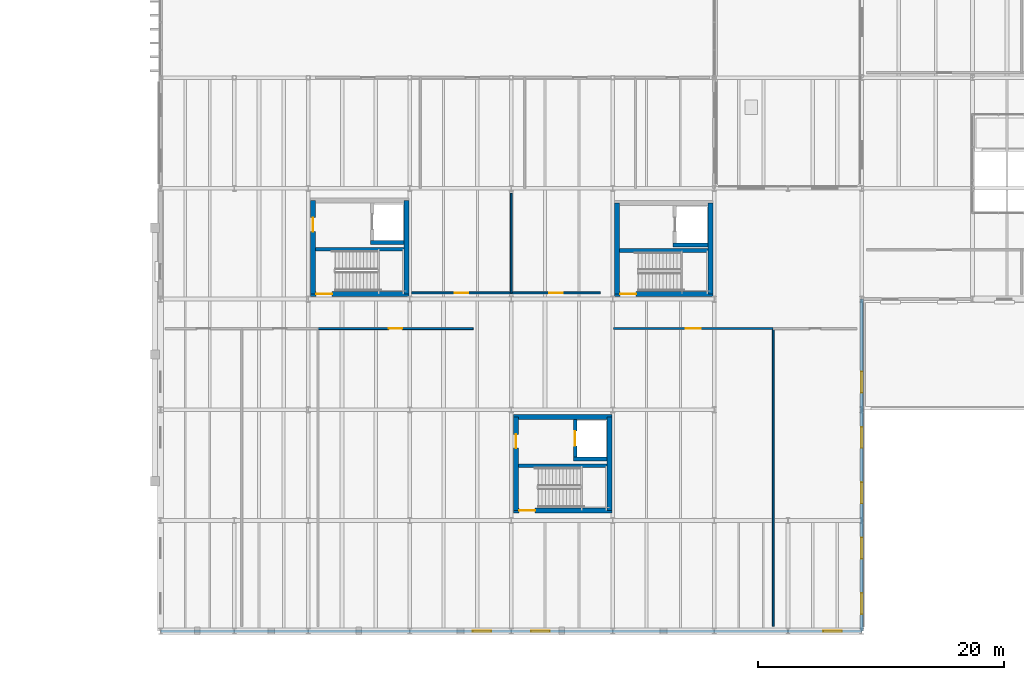
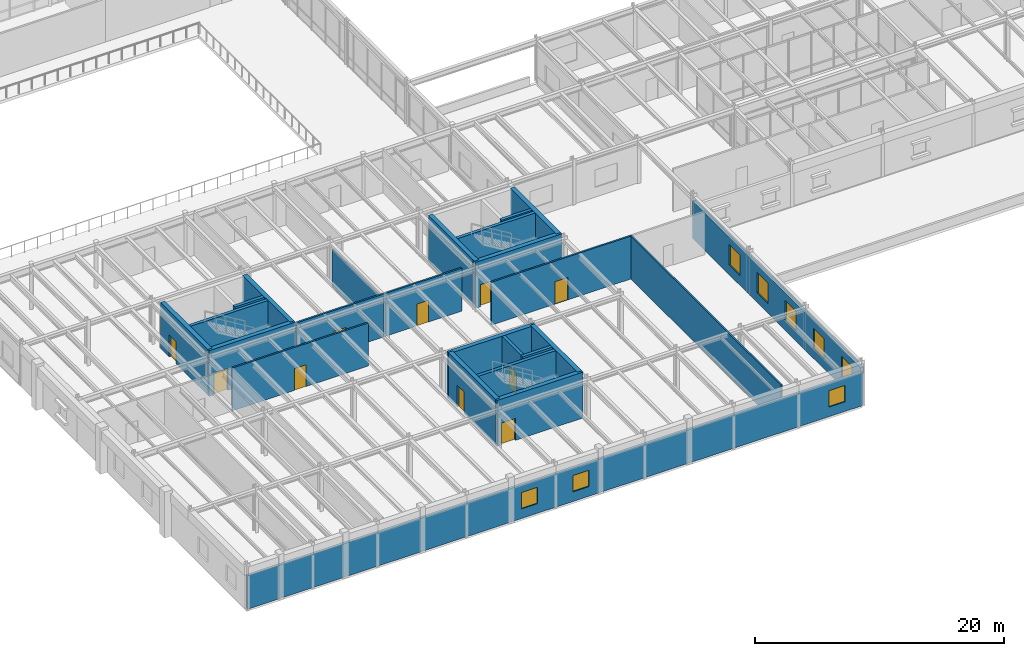
# One storey, part 44 of 64: 25 walls, 10 doors, 8 windows, 18 openings.
"""IFC4 building model written with IfcOpenShell, lengths in metres."""

from ifc_helpers import new_model, si_unit, direction, frame, frame_2d, origin, place, context, subcontext, project, spatial, rectangle, extrude, material, layer, layer_set, type_object, element, fill, save


model = new_model("IFC4")

# Units and contexts
model_context = context("Model", 3, precision=1e-05, world=origin(), true_north=direction((0.0, 1.0)))
body_context = subcontext(model_context, "Body", "Model", "MODEL_VIEW")
ifc_project = project(units=[si_unit("LENGTHUNIT", "METRE"), si_unit("AREAUNIT", "SQUARE_METRE"), si_unit("VOLUMEUNIT", "CUBIC_METRE"), si_unit("PLANEANGLEUNIT", "RADIAN"), si_unit("MASSUNIT", "GRAM", prefix="KILO")], contexts=[model_context])

# Site, building, storey
site_placement = place(None, origin())
site = spatial("IfcSite", under=ifc_project, at=site_placement, CompositionType="ELEMENT")
building_placement = place(site_placement, origin())
building = spatial("IfcBuilding", under=site, at=building_placement, Name="Montealbar Specialist Clinic", CompositionType="ELEMENT")
storey_placement = place(building_placement, frame((0.0, 0.0, 5.10009765625)))
storey = spatial("IfcBuildingStorey", under=building, at=storey_placement, Name="L01", CompositionType="ELEMENT", Elevation=5.10009765625)

# Walls
ifc_material_1 = material(Name="Concrete C35/45", Category="concrete")
ifc_layer_1 = layer(ifc_material_1, 0.300048828125, Name="Concrete C35/45", Category="concrete")
ifc_layer_set_1 = layer_set([ifc_layer_1], Name="Concrete C35/45")
wall_type_1 = type_object("IfcWallType", Name="WL-CORE-300", PredefinedType="SHEAR", material=ifc_layer_set_1)
wall_1_placement = place(storey_placement, frame((66.60009765625, 31.050048828125, 0.0), z_axis=(0.0, 0.0, 1.0), x_axis=(1.0, 0.0, 0.0)))
element("IfcWall", 1, at=wall_1_placement, inside=storey, type_object=wall_type_1, Name="Core C3 Stairwell Wall L01", PredefinedType="SHEAR", context=body_context, shape_type="SweptSolid", body=[
    extrude(rectangle(XDim=7.199951171875, YDim=0.300048828125, at=frame_2d((3.60009765625, 0.0))), origin(), (0.0, 0.0, 1.0), 4.5),
])
wall_2_placement = place(storey_placement, frame((71.050048828125, 31.60009765625, 0.0), z_axis=(0.0, 0.0, 1.0), x_axis=(1.0, 0.0, 0.0)))
element("IfcWall", 2, at=wall_2_placement, inside=storey, type_object=wall_type_1, Name="Lift FL-01 Shaft Wall L01 LS", PredefinedType="SHEAR", context=body_context, shape_type="SweptSolid", body=[
    extrude(rectangle(XDim=2.75, YDim=0.300048828125, at=frame_2d((1.375, 0.0))), origin(), (0.0, 0.0, 1.0), 4.5),
])
wall_3_placement = place(storey_placement, frame((83.10009765625, 13.449951171875, 0.0), z_axis=(0.0, 0.0, 1.0), x_axis=(1.0, 0.0, 0.0)))
element("IfcWall", 3, at=wall_3_placement, inside=storey, type_object=wall_type_1, Name="Core C4 Stairwell Wall L01", PredefinedType="SHEAR", context=body_context, shape_type="SweptSolid", body=[
    extrude(rectangle(XDim=7.199951171875, YDim=0.300048828125, at=frame_2d((3.60009765625, 0.0))), origin(), (0.0, 0.0, 1.0), 4.5),
])
wall_4_placement = place(storey_placement, frame((87.550048828125, 14.0, 0.0), z_axis=(0.0, 0.0, 1.0), x_axis=(1.0, 0.0, 0.0)))
element("IfcWall", 4, at=wall_4_placement, inside=storey, type_object=wall_type_1, Name="Lift FL-02 Shaft Wall L01 LS", PredefinedType="SHEAR", context=body_context, shape_type="SweptSolid", body=[
    extrude(rectangle(XDim=2.75, YDim=0.300048828125, at=frame_2d((1.375, 0.0))), origin(), (0.0, 0.0, 1.0), 4.5),
])

# Wall, opening, door
wall_5_placement = place(storey_placement, frame((87.699951171875, 14.14990234375, 0.0), z_axis=(0.0, 0.0, 1.0), x_axis=(0.0, 1.0, 0.0)))
wall_5 = element("IfcWall", 5, at=wall_5_placement, inside=storey, type_object=wall_type_1, Name="Lift FL-02 Shaft Wall L01 LW", PredefinedType="SHEAR", context=body_context, shape_type="SweptSolid", body=[
    extrude(rectangle(XDim=3.050048828125, YDim=0.300048828125, at=frame_2d((1.52490234375, 0.0))), origin(), (0.0, 0.0, 1.0), 4.5),
])
opening_1_placement = place(wall_5_placement, frame((0.925048828125, 0.0, 0.0)))
opening_1 = element("IfcOpeningElement", 6, at=opening_1_placement, cuts=wall_5, Name="Opening LD-12", PredefinedType="OPENING", context=body_context, shape_type="SweptSolid", body=[
    extrude(rectangle(XDim=1.199951171875, YDim=2.14990234375, at=frame_2d((0.60009765625, 1.074951171875))), frame((0.0, 0.159912109375, 0.0), z_axis=(0.0, -1.0, 0.0), x_axis=(1.0, 0.0, 0.0)), (0.0, 0.0, 1.0), 0.320068359375),
])
ifc_material_2 = material(Name="Steel S355", Category="steel")
door_type_1 = type_object("IfcDoorType", Name="DR-LIFT-LD1200", OperationType="DOUBLE_DOOR_SLIDING", PredefinedType="DOOR", material=ifc_material_2)
door_1_placement = place(opening_1_placement, origin())
door_1 = element("IfcDoor", 7, at=door_1_placement, inside=storey, type_object=door_type_1, Name="Lift FL-02 Sliding Landing Door L01", OperationType="DOUBLE_DOOR_SLIDING", OverallHeight=2.14990234375, OverallWidth=1.199951171875, PredefinedType="DOOR", context=body_context, shape_type="SweptSolid", body=[
    extrude(rectangle(XDim=1.199951171875, YDim=2.14990234375, at=frame_2d((0.60009765625, 1.074951171875))), frame((0.0, 0.02490234375, 0.0), z_axis=(0.0, -1.0, 0.0), x_axis=(1.0, 0.0, 0.0)), (0.0, 0.0, 1.0), 0.050048828125),
])
fill(opening_1, door_1)

# Walls
wall_6_placement = place(storey_placement, frame((91.300048828125, 30.949951171875, 0.0), z_axis=(0.0, 0.0, 1.0), x_axis=(1.0, 0.0, 0.0)))
element("IfcWall", 8, at=wall_6_placement, inside=storey, type_object=wall_type_1, Name="Core C5 Stairwell Wall L01", PredefinedType="SHEAR", context=body_context, shape_type="SweptSolid", body=[
    extrude(rectangle(XDim=7.199951171875, YDim=0.300048828125, at=frame_2d((3.60009765625, 0.0))), origin(), (0.0, 0.0, 1.0), 4.5),
])
wall_7_placement = place(storey_placement, frame((95.64990234375, 31.39990234375, 0.0), z_axis=(0.0, 0.0, 1.0), x_axis=(1.0, 0.0, 0.0)))
element("IfcWall", 9, at=wall_7_placement, inside=storey, type_object=wall_type_1, Name="Lift LF-03 Shaft Wall L01 LS", PredefinedType="SHEAR", context=body_context, shape_type="SweptSolid", body=[
    extrude(rectangle(XDim=2.85009765625, YDim=0.300048828125, at=frame_2d((1.425048828125, 0.0))), origin(), (0.0, 0.0, 1.0), 4.5),
])

# Wall, opening, door
ifc_layer_2 = layer(ifc_material_1, 0.39990234375, Name="Concrete C35/45", Category="concrete")
ifc_layer_set_2 = layer_set([ifc_layer_2], Name="Concrete C35/45")
wall_type_2 = type_object("IfcWallType", Name="WL-CORE-400", PredefinedType="SHEAR", material=ifc_layer_set_2)
wall_8_placement = place(storey_placement, frame((66.199951171875, 27.39990234375, 0.0), z_axis=(0.0, 0.0, 1.0), x_axis=(1.0, 0.0, 0.0)))
wall_8 = element("IfcWall", 10, at=wall_8_placement, inside=storey, type_object=wall_type_2, Name="Core C3 Shear Wall L01 S", PredefinedType="SHEAR", context=body_context, shape_type="SweptSolid", body=[
    extrude(rectangle(XDim=8.0, YDim=0.39990234375, at=frame_2d((4.0, 0.0))), origin(), (0.0, 0.0, 1.0), 4.5),
])
opening_2_placement = place(wall_8_placement, frame((0.449951171875, 0.0, 0.0)))
opening_2 = element("IfcOpeningElement", 11, at=opening_2_placement, cuts=wall_8, Name="Opening SD-13", PredefinedType="OPENING", context=body_context, shape_type="SweptSolid", body=[
    extrude(rectangle(XDim=1.300048828125, YDim=2.14990234375, at=frame_2d((0.64990234375, 1.074951171875))), frame((0.0, 0.2099609375, 0.0), z_axis=(0.0, -1.0, 0.0), x_axis=(1.0, 0.0, 0.0)), (0.0, 0.0, 1.0), 0.419921875),
])
door_type_2 = type_object("IfcDoorType", Name="DR-STAIR-W1300", OperationType="NOTDEFINED", PredefinedType="DOOR", material=ifc_material_2)
door_2_placement = place(opening_2_placement, frame((1.300048828125, 0.0, 0.0), z_axis=(0.0, 0.0, 1.0), x_axis=(-1.0, 0.0, 0.0)))
door_2 = element("IfcDoor", 12, at=door_2_placement, inside=storey, type_object=door_type_2, Name="Protected Core C3 Stair Fire Door L01", OperationType="SINGLE_SWING_RIGHT", OverallHeight=2.14990234375, OverallWidth=1.300048828125, PredefinedType="DOOR", context=body_context, shape_type="SweptSolid", body=[
    extrude(rectangle(XDim=1.300048828125, YDim=2.14990234375, at=frame_2d((0.64990234375, 1.074951171875))), frame((0.0, 0.02490234375, 0.0), z_axis=(0.0, -1.0, 0.0), x_axis=(1.0, 0.0, 0.0)), (0.0, 0.0, 1.0), 0.050048828125),
])
fill(opening_2, door_2)

wall_9_placement = place(storey_placement, frame((66.39990234375, 27.39990234375, 0.0), z_axis=(0.0, 0.0, 1.0), x_axis=(0.0, 1.0, 0.0)))
wall_9 = element("IfcWall", 13, at=wall_9_placement, inside=storey, type_object=wall_type_2, Name="Core C3 Shear Wall L01 W", PredefinedType="SHEAR", context=body_context, shape_type="SweptSolid", body=[
    extrude(rectangle(XDim=7.60009765625, YDim=0.39990234375, at=frame_2d((3.800048828125, 0.0))), origin(), (0.0, 0.0, 1.0), 4.5),
])
opening_3_placement = place(wall_9_placement, frame((5.090087890625, 0.0, 0.0)))
opening_3 = element("IfcOpeningElement", 14, at=opening_3_placement, cuts=wall_9, Name="Opening FD-110", PredefinedType="OPENING", context=body_context, shape_type="SweptSolid", body=[
    extrude(rectangle(XDim=1.1201171875, YDim=2.14990234375, at=frame_2d((0.56005859375, 1.074951171875))), frame((0.0, 0.2099609375, 0.0), z_axis=(0.0, -1.0, 0.0), x_axis=(1.0, 0.0, 0.0)), (0.0, 0.0, 1.0), 0.419921875),
])
door_type_3 = type_object("IfcDoorType", Name="DR-FIRE-W1100", OperationType="NOTDEFINED", PredefinedType="DOOR", material=ifc_material_2)
door_3_placement = place(opening_3_placement, origin())
door_3 = element("IfcDoor", 15, at=door_3_placement, inside=storey, type_object=door_type_3, Name="Firefighting Lobby C3 Entrance Door L01", OperationType="SINGLE_SWING_RIGHT", OverallHeight=2.14990234375, OverallWidth=1.1201171875, PredefinedType="DOOR", context=body_context, shape_type="SweptSolid", body=[
    extrude(rectangle(XDim=1.1201171875, YDim=2.14990234375, at=frame_2d((0.56005859375, 1.074951171875))), frame((0.0, 0.02490234375, 0.0), z_axis=(0.0, -1.0, 0.0), x_axis=(1.0, 0.0, 0.0)), (0.0, 0.0, 1.0), 0.050048828125),
])
fill(opening_3, door_3)

# Wall
wall_10_placement = place(storey_placement, frame((74.0, 27.39990234375, 0.0), z_axis=(0.0, 0.0, 1.0), x_axis=(0.0, 1.0, 0.0)))
element("IfcWall", 16, at=wall_10_placement, inside=storey, type_object=wall_type_2, Name="Core C3 Shear Wall L01 E", PredefinedType="SHEAR", context=body_context, shape_type="SweptSolid", body=[
    extrude(rectangle(XDim=7.60009765625, YDim=0.39990234375, at=frame_2d((3.800048828125, 0.0))), origin(), (0.0, 0.0, 1.0), 4.5),
])

# Wall, opening, door
wall_11_placement = place(storey_placement, frame((82.699951171875, 9.800048828125, 0.0), z_axis=(0.0, 0.0, 1.0), x_axis=(1.0, 0.0, 0.0)))
wall_11 = element("IfcWall", 17, at=wall_11_placement, inside=storey, type_object=wall_type_2, Name="Core C4 Shear Wall L01 S", PredefinedType="SHEAR", context=body_context, shape_type="SweptSolid", body=[
    extrude(rectangle(XDim=8.0, YDim=0.39990234375, at=frame_2d((4.0, 0.0))), origin(), (0.0, 0.0, 1.0), 4.5),
])
opening_4_placement = place(wall_11_placement, frame((0.449951171875, 0.0, 0.0)))
opening_4 = element("IfcOpeningElement", 18, at=opening_4_placement, cuts=wall_11, Name="Opening SD-13", PredefinedType="OPENING", context=body_context, shape_type="SweptSolid", body=[
    extrude(rectangle(XDim=1.300048828125, YDim=2.14990234375, at=frame_2d((0.64990234375, 1.074951171875))), frame((0.0, 0.2099609375, 0.0), z_axis=(0.0, -1.0, 0.0), x_axis=(1.0, 0.0, 0.0)), (0.0, 0.0, 1.0), 0.419921875),
])
door_4_placement = place(opening_4_placement, frame((1.300048828125, 0.0, 0.0), z_axis=(0.0, 0.0, 1.0), x_axis=(-1.0, 0.0, 0.0)))
door_4 = element("IfcDoor", 19, at=door_4_placement, inside=storey, type_object=door_type_2, Name="Protected Core C4 Stair Fire Door L01", OperationType="SINGLE_SWING_RIGHT", OverallHeight=2.14990234375, OverallWidth=1.300048828125, PredefinedType="DOOR", context=body_context, shape_type="SweptSolid", body=[
    extrude(rectangle(XDim=1.300048828125, YDim=2.14990234375, at=frame_2d((0.64990234375, 1.074951171875))), frame((0.0, 0.02490234375, 0.0), z_axis=(0.0, -1.0, 0.0), x_axis=(1.0, 0.0, 0.0)), (0.0, 0.0, 1.0), 0.050048828125),
])
fill(opening_4, door_4)

# Wall
wall_12_placement = place(storey_placement, frame((82.699951171875, 17.39990234375, 0.0), z_axis=(0.0, 0.0, 1.0), x_axis=(1.0, 0.0, 0.0)))
element("IfcWall", 20, at=wall_12_placement, inside=storey, type_object=wall_type_2, Name="Core C4 Shear Wall L01 N", PredefinedType="SHEAR", context=body_context, shape_type="SweptSolid", body=[
    extrude(rectangle(XDim=8.0, YDim=0.39990234375, at=frame_2d((4.0, 0.0))), origin(), (0.0, 0.0, 1.0), 4.5),
])

# Wall, opening, door
wall_13_placement = place(storey_placement, frame((82.89990234375, 9.800048828125, 0.0), z_axis=(0.0, 0.0, 1.0), x_axis=(0.0, 1.0, 0.0)))
wall_13 = element("IfcWall", 21, at=wall_13_placement, inside=storey, type_object=wall_type_2, Name="Core C4 Shear Wall L01 W", PredefinedType="SHEAR", context=body_context, shape_type="SweptSolid", body=[
    extrude(rectangle(XDim=7.599853515625, YDim=0.39990234375, at=frame_2d((3.7998046875, 0.0))), origin(), (0.0, 0.0, 1.0), 4.5),
])
opening_5_placement = place(wall_13_placement, frame((5.090087890625, 0.0, 0.0)))
opening_5 = element("IfcOpeningElement", 22, at=opening_5_placement, cuts=wall_13, Name="Opening FD-110", PredefinedType="OPENING", context=body_context, shape_type="SweptSolid", body=[
    extrude(rectangle(XDim=1.1201171875, YDim=2.14990234375, at=frame_2d((0.56005859375, 1.074951171875))), frame((0.0, 0.2099609375, 0.0), z_axis=(0.0, -1.0, 0.0), x_axis=(1.0, 0.0, 0.0)), (0.0, 0.0, 1.0), 0.419921875),
])
door_5_placement = place(opening_5_placement, origin())
door_5 = element("IfcDoor", 23, at=door_5_placement, inside=storey, type_object=door_type_3, Name="Firefighting Lobby C4 Entrance Door L01", OperationType="SINGLE_SWING_RIGHT", OverallHeight=2.14990234375, OverallWidth=1.1201171875, PredefinedType="DOOR", context=body_context, shape_type="SweptSolid", body=[
    extrude(rectangle(XDim=1.1201171875, YDim=2.14990234375, at=frame_2d((0.56005859375, 1.074951171875))), frame((0.0, 0.02490234375, 0.0), z_axis=(0.0, -1.0, 0.0), x_axis=(1.0, 0.0, 0.0)), (0.0, 0.0, 1.0), 0.050048828125),
])
fill(opening_5, door_5)

# Wall
wall_14_placement = place(storey_placement, frame((90.5, 9.800048828125, 0.0), z_axis=(0.0, 0.0, 1.0), x_axis=(0.0, 1.0, 0.0)))
element("IfcWall", 24, at=wall_14_placement, inside=storey, type_object=wall_type_2, Name="Core C4 Shear Wall L01 E", PredefinedType="SHEAR", context=body_context, shape_type="SweptSolid", body=[
    extrude(rectangle(XDim=7.599853515625, YDim=0.39990234375, at=frame_2d((3.7998046875, 0.0))), origin(), (0.0, 0.0, 1.0), 4.5),
])

# Wall, opening, door
wall_15_placement = place(storey_placement, frame((90.89990234375, 27.39990234375, 0.0), z_axis=(0.0, 0.0, 1.0), x_axis=(1.0, 0.0, 0.0)))
wall_15 = element("IfcWall", 25, at=wall_15_placement, inside=storey, type_object=wall_type_2, Name="Core C5 Shear Wall L01 S", PredefinedType="SHEAR", context=body_context, shape_type="SweptSolid", body=[
    extrude(rectangle(XDim=8.0, YDim=0.39990234375, at=frame_2d((4.0, 0.0))), origin(), (0.0, 0.0, 1.0), 4.5),
])
opening_6_placement = place(wall_15_placement, frame((0.449951171875, 0.0, 0.0)))
opening_6 = element("IfcOpeningElement", 26, at=opening_6_placement, cuts=wall_15, Name="Opening SD-13", PredefinedType="OPENING", context=body_context, shape_type="SweptSolid", body=[
    extrude(rectangle(XDim=1.300048828125, YDim=2.14990234375, at=frame_2d((0.64990234375, 1.074951171875))), frame((0.0, 0.2099609375, 0.0), z_axis=(0.0, -1.0, 0.0), x_axis=(1.0, 0.0, 0.0)), (0.0, 0.0, 1.0), 0.419921875),
])
door_6_placement = place(opening_6_placement, frame((1.300048828125, 0.0, 0.0), z_axis=(0.0, 0.0, 1.0), x_axis=(-1.0, 0.0, 0.0)))
door_6 = element("IfcDoor", 27, at=door_6_placement, inside=storey, type_object=door_type_2, Name="Protected Core C5 Stair Fire Door L01", OperationType="SINGLE_SWING_RIGHT", OverallHeight=2.14990234375, OverallWidth=1.300048828125, PredefinedType="DOOR", context=body_context, shape_type="SweptSolid", body=[
    extrude(rectangle(XDim=1.300048828125, YDim=2.14990234375, at=frame_2d((0.64990234375, 1.074951171875))), frame((0.0, 0.02490234375, 0.0), z_axis=(0.0, -1.0, 0.0), x_axis=(1.0, 0.0, 0.0)), (0.0, 0.0, 1.0), 0.050048828125),
])
fill(opening_6, door_6)

# Walls
for number, where, z_axis, x_axis, name in (
    (28, (91.10009765625, 27.39990234375, 0.0), (0.0, 0.0, 1.0), (0.0, 1.0, 0.0), "Core C5 Shear Wall L01 W"),
    (29, (98.699951171875, 27.39990234375, 0.0), (0.0, 0.0, 1.0), (0.0, 1.0, 0.0), "Core C5 Shear Wall L01 E"),
):
    element("IfcWall", number, at=place(storey_placement, frame(where, z_axis=z_axis, x_axis=x_axis)), inside=storey, type_object=wall_type_2, Name=name, PredefinedType="SHEAR", context=body_context, shape_type="SweptSolid", body=[
        extrude(rectangle(XDim=7.400146484375, YDim=0.39990234375, at=frame_2d((3.7001953125, 0.0))), origin(), (0.0, 0.0, 1.0), 4.5),
    ])

# Wall, openings, windows
ifc_material_3 = material(Name="Precast concrete C40/50", Category="concrete")
ifc_layer_3 = layer(ifc_material_3, 0.239990234375, Name="Precast concrete C40/50", Category="concrete")
ifc_layer_set_3 = layer_set([ifc_layer_3], Name="Precast concrete C40/50")
wall_type_3 = type_object("IfcWallType", Name="WL-EXT-CLINIC-240", PredefinedType="SOLIDWALL", material=ifc_layer_set_3)
wall_16_placement = place(storey_placement, frame((111.0, 0.0, 0.0), z_axis=(0.0, 0.0, 1.0), x_axis=(-1.0, 0.0, 0.0)))
wall_16 = element("IfcWall", 30, at=wall_16_placement, inside=storey, type_object=wall_type_3, Name="Exterior Facade Wall EW-L01-047", PredefinedType="SOLIDWALL", context=body_context, shape_type="SweptSolid", body=[
    extrude(rectangle(XDim=57.0, YDim=0.239990234375, at=frame_2d((28.5, 0.0))), origin(), (0.0, 0.0, 1.0), 3.27978515625),
])
opening_7_placement = place(wall_16_placement, frame((1.625, 0.0, 0.949951171875)))
opening_7 = element("IfcOpeningElement", 31, at=opening_7_placement, cuts=wall_16, Name="Opening WN-03", PredefinedType="OPENING", context=body_context, shape_type="SweptSolid", body=[
    extrude(rectangle(XDim=1.5, YDim=1.60009765625, at=frame_2d((0.75, 0.800048828125))), frame((0.0, 0.1298828125, 0.0), z_axis=(0.0, -1.0, 0.0), x_axis=(1.0, 0.0, 0.0)), (0.0, 0.0, 1.0), 0.260009765625),
])
opening_8_placement = place(wall_16_placement, frame((25.375, 0.0, 0.949951171875)))
opening_8 = element("IfcOpeningElement", 32, at=opening_8_placement, cuts=wall_16, Name="Opening WN-03", PredefinedType="OPENING", context=body_context, shape_type="SweptSolid", body=[
    extrude(rectangle(XDim=1.5, YDim=1.60009765625, at=frame_2d((0.75, 0.800048828125))), frame((0.0, 0.1298828125, 0.0), z_axis=(0.0, -1.0, 0.0), x_axis=(1.0, 0.0, 0.0)), (0.0, 0.0, 1.0), 0.260009765625),
])
opening_9_placement = place(wall_16_placement, frame((30.125, 0.0, 0.949951171875)))
opening_9 = element("IfcOpeningElement", 33, at=opening_9_placement, cuts=wall_16, Name="Opening WN-03", PredefinedType="OPENING", context=body_context, shape_type="SweptSolid", body=[
    extrude(rectangle(XDim=1.5, YDim=1.60009765625, at=frame_2d((0.75, 0.800048828125))), frame((0.0, 0.1298828125, 0.0), z_axis=(0.0, -1.0, 0.0), x_axis=(1.0, 0.0, 0.0)), (0.0, 0.0, 1.0), 0.260009765625),
])
ifc_material_4 = material(Name="Low-E double glazing", Category="glass")
window_type_1 = type_object("IfcWindowType", Name="WIN-WN-03", PartitioningType="SINGLE_PANEL", PredefinedType="WINDOW", material=ifc_material_4)
window_1_placement = place(opening_7_placement, origin())
window_1 = element("IfcWindow", 34, at=window_1_placement, inside=storey, type_object=window_type_1, Name="Clinical Facade Window WN-03 L01-0169", OverallHeight=1.60009765625, OverallWidth=1.5, PartitioningType="SINGLE_PANEL", PredefinedType="WINDOW", context=body_context, shape_type="SweptSolid", body=[
    extrude(rectangle(XDim=1.5, YDim=1.60009765625, at=frame_2d((0.75, 0.800048828125))), frame((0.0, 0.030029296875, 0.0), z_axis=(0.0, -1.0, 0.0), x_axis=(1.0, 0.0, 0.0)), (0.0, 0.0, 1.0), 0.06005859375),
])
fill(opening_7, window_1)
window_2_placement = place(opening_8_placement, origin())
window_2 = element("IfcWindow", 35, at=window_2_placement, inside=storey, type_object=window_type_1, Name="Clinical Facade Window WN-03 L01-0170", OverallHeight=1.60009765625, OverallWidth=1.5, PartitioningType="SINGLE_PANEL", PredefinedType="WINDOW", context=body_context, shape_type="SweptSolid", body=[
    extrude(rectangle(XDim=1.5, YDim=1.60009765625, at=frame_2d((0.75, 0.800048828125))), frame((0.0, 0.030029296875, 0.0), z_axis=(0.0, -1.0, 0.0), x_axis=(1.0, 0.0, 0.0)), (0.0, 0.0, 1.0), 0.06005859375),
])
fill(opening_8, window_2)
window_3_placement = place(opening_9_placement, origin())
window_3 = element("IfcWindow", 36, at=window_3_placement, inside=storey, type_object=window_type_1, Name="Clinical Facade Window WN-03 L01-0171", OverallHeight=1.60009765625, OverallWidth=1.5, PartitioningType="SINGLE_PANEL", PredefinedType="WINDOW", context=body_context, shape_type="SweptSolid", body=[
    extrude(rectangle(XDim=1.5, YDim=1.60009765625, at=frame_2d((0.75, 0.800048828125))), frame((0.0, 0.030029296875, 0.0), z_axis=(0.0, -1.0, 0.0), x_axis=(1.0, 0.0, 0.0)), (0.0, 0.0, 1.0), 0.06005859375),
])
fill(opening_9, window_3)

ifc_material_5 = material(Name="Terracotta architectural cladding", Category="masonry")
ifc_layer_4 = layer(ifc_material_5, 0.260009765625, Name="Terracotta architectural cladding", Category="masonry")
ifc_layer_set_4 = layer_set([ifc_layer_4], Name="Terracotta architectural cladding")
wall_type_4 = type_object("IfcWallType", Name="WL-EXT-TERRA-260", PredefinedType="SOLIDWALL", material=ifc_layer_set_4)
wall_17_placement = place(storey_placement, frame((111.0, 27.0, 0.0), z_axis=(0.0, 0.0, 1.0), x_axis=(0.0, -1.0, 0.0)))
wall_17 = element("IfcWall", 37, at=wall_17_placement, inside=storey, type_object=wall_type_4, Name="Exterior Facade Wall EW-L01-046", PredefinedType="SOLIDWALL", context=body_context, shape_type="SweptSolid", body=[
    extrude(rectangle(XDim=27.0, YDim=0.260009765625, at=frame_2d((13.5, 0.0))), origin(), (0.0, 0.0, 1.0), 3.679931640625),
])
opening_10_placement = place(wall_17_placement, frame((5.89990234375, 0.0, 0.949951171875)))
opening_10 = element("IfcOpeningElement", 38, at=opening_10_placement, cuts=wall_17, Name="Opening WN-15", PredefinedType="OPENING", context=body_context, shape_type="SweptSolid", body=[
    extrude(rectangle(XDim=1.699951171875, YDim=2.0, at=frame_2d((0.85009765625, 1.0))), frame((0.0, 0.139892578125, 0.0), z_axis=(0.0, -1.0, 0.0), x_axis=(1.0, 0.0, 0.0)), (0.0, 0.0, 1.0), 0.280029296875),
])
opening_11_placement = place(wall_17_placement, frame((10.39990234375, 0.0, 0.949951171875)))
opening_11 = element("IfcOpeningElement", 39, at=opening_11_placement, cuts=wall_17, Name="Opening WN-15", PredefinedType="OPENING", context=body_context, shape_type="SweptSolid", body=[
    extrude(rectangle(XDim=1.699951171875, YDim=2.0, at=frame_2d((0.85009765625, 1.0))), frame((0.0, 0.139892578125, 0.0), z_axis=(0.0, -1.0, 0.0), x_axis=(1.0, 0.0, 0.0)), (0.0, 0.0, 1.0), 0.280029296875),
])
opening_12_placement = place(wall_17_placement, frame((14.89990234375, 0.0, 0.949951171875)))
opening_12 = element("IfcOpeningElement", 40, at=opening_12_placement, cuts=wall_17, Name="Opening WN-15", PredefinedType="OPENING", context=body_context, shape_type="SweptSolid", body=[
    extrude(rectangle(XDim=1.699951171875, YDim=2.0, at=frame_2d((0.85009765625, 1.0))), frame((0.0, 0.139892578125, 0.0), z_axis=(0.0, -1.0, 0.0), x_axis=(1.0, 0.0, 0.0)), (0.0, 0.0, 1.0), 0.280029296875),
])
opening_13_placement = place(wall_17_placement, frame((19.39990234375, 0.0, 0.949951171875)))
opening_13 = element("IfcOpeningElement", 41, at=opening_13_placement, cuts=wall_17, Name="Opening WN-15", PredefinedType="OPENING", context=body_context, shape_type="SweptSolid", body=[
    extrude(rectangle(XDim=1.699951171875, YDim=2.0, at=frame_2d((0.85009765625, 1.0))), frame((0.0, 0.139892578125, 0.0), z_axis=(0.0, -1.0, 0.0), x_axis=(1.0, 0.0, 0.0)), (0.0, 0.0, 1.0), 0.280029296875),
])
opening_14_placement = place(wall_17_placement, frame((23.89990234375, 0.0, 0.949951171875)))
opening_14 = element("IfcOpeningElement", 42, at=opening_14_placement, cuts=wall_17, Name="Opening WN-15", PredefinedType="OPENING", context=body_context, shape_type="SweptSolid", body=[
    extrude(rectangle(XDim=1.699951171875, YDim=2.0, at=frame_2d((0.85009765625, 1.0))), frame((0.0, 0.139892578125, 0.0), z_axis=(0.0, -1.0, 0.0), x_axis=(1.0, 0.0, 0.0)), (0.0, 0.0, 1.0), 0.280029296875),
])
window_type_2 = type_object("IfcWindowType", Name="WIN-WN-15", PartitioningType="SINGLE_PANEL", PredefinedType="WINDOW", material=ifc_material_4)
window_4_placement = place(opening_10_placement, origin())
window_4 = element("IfcWindow", 43, at=window_4_placement, inside=storey, type_object=window_type_2, Name="Clinical Facade Window WN-15 L01-0164", OverallHeight=2.0, OverallWidth=1.699951171875, PartitioningType="SINGLE_PANEL", PredefinedType="WINDOW", context=body_context, shape_type="SweptSolid", body=[
    extrude(rectangle(XDim=1.699951171875, YDim=2.0, at=frame_2d((0.85009765625, 1.0))), frame((0.0, 0.030029296875, 0.0), z_axis=(0.0, -1.0, 0.0), x_axis=(1.0, 0.0, 0.0)), (0.0, 0.0, 1.0), 0.06005859375),
])
fill(opening_10, window_4)
window_5_placement = place(opening_11_placement, origin())
window_5 = element("IfcWindow", 44, at=window_5_placement, inside=storey, type_object=window_type_2, Name="Clinical Facade Window WN-15 L01-0165", OverallHeight=2.0, OverallWidth=1.699951171875, PartitioningType="SINGLE_PANEL", PredefinedType="WINDOW", context=body_context, shape_type="SweptSolid", body=[
    extrude(rectangle(XDim=1.699951171875, YDim=2.0, at=frame_2d((0.85009765625, 1.0))), frame((0.0, 0.030029296875, 0.0), z_axis=(0.0, -1.0, 0.0), x_axis=(1.0, 0.0, 0.0)), (0.0, 0.0, 1.0), 0.06005859375),
])
fill(opening_11, window_5)
window_6_placement = place(opening_12_placement, origin())
window_6 = element("IfcWindow", 45, at=window_6_placement, inside=storey, type_object=window_type_2, Name="Clinical Facade Window WN-15 L01-0166", OverallHeight=2.0, OverallWidth=1.699951171875, PartitioningType="SINGLE_PANEL", PredefinedType="WINDOW", context=body_context, shape_type="SweptSolid", body=[
    extrude(rectangle(XDim=1.699951171875, YDim=2.0, at=frame_2d((0.85009765625, 1.0))), frame((0.0, 0.030029296875, 0.0), z_axis=(0.0, -1.0, 0.0), x_axis=(1.0, 0.0, 0.0)), (0.0, 0.0, 1.0), 0.06005859375),
])
fill(opening_12, window_6)
window_7_placement = place(opening_13_placement, origin())
window_7 = element("IfcWindow", 46, at=window_7_placement, inside=storey, type_object=window_type_2, Name="Clinical Facade Window WN-15 L01-0167", OverallHeight=2.0, OverallWidth=1.699951171875, PartitioningType="SINGLE_PANEL", PredefinedType="WINDOW", context=body_context, shape_type="SweptSolid", body=[
    extrude(rectangle(XDim=1.699951171875, YDim=2.0, at=frame_2d((0.85009765625, 1.0))), frame((0.0, 0.030029296875, 0.0), z_axis=(0.0, -1.0, 0.0), x_axis=(1.0, 0.0, 0.0)), (0.0, 0.0, 1.0), 0.06005859375),
])
fill(opening_13, window_7)
window_8_placement = place(opening_14_placement, origin())
window_8 = element("IfcWindow", 47, at=window_8_placement, inside=storey, type_object=window_type_2, Name="Clinical Facade Window WN-15 L01-0168", OverallHeight=2.0, OverallWidth=1.699951171875, PartitioningType="SINGLE_PANEL", PredefinedType="WINDOW", context=body_context, shape_type="SweptSolid", body=[
    extrude(rectangle(XDim=1.699951171875, YDim=2.0, at=frame_2d((0.85009765625, 1.0))), frame((0.0, 0.030029296875, 0.0), z_axis=(0.0, -1.0, 0.0), x_axis=(1.0, 0.0, 0.0)), (0.0, 0.0, 1.0), 0.06005859375),
])
fill(opening_14, window_8)

# Walls
ifc_material_6 = material(Name="Gypsum acoustic partition", Category="gypsum")
ifc_layer_5 = layer(ifc_material_6, 0.139892578125, Name="Gypsum acoustic partition", Category="gypsum")
ifc_layer_set_5 = layer_set([ifc_layer_5], Name="Gypsum acoustic partition")
wall_type_5 = type_object("IfcWallType", Name="WL-PART-ACOUSTIC-140", PredefinedType="PARTITIONING", material=ifc_layer_set_5)
wall_18_placement = place(storey_placement, frame((103.800048828125, 0.39990234375, 0.0), z_axis=(0.0, 0.0, 1.0), x_axis=(0.0, 1.0, 0.0)))
element("IfcWall", 48, at=wall_18_placement, inside=storey, type_object=wall_type_5, Name="Clinical Partition PART-L01-0098", PredefinedType="PARTITIONING", context=body_context, shape_type="SweptSolid", body=[
    extrude(rectangle(XDim=24.2001953125, YDim=0.139892578125, at=frame_2d((12.10009765625, 0.0))), origin(), (0.0, 0.0, 1.0), 4.2099609375),
])
wall_19_placement = place(storey_placement, frame((82.5, 27.5, 0.0), z_axis=(0.0, 0.0, 1.0), x_axis=(0.0, 1.0, 0.0)))
element("IfcWall", 49, at=wall_19_placement, inside=storey, type_object=wall_type_5, Name="Clinical Partition PART-L01-0123", PredefinedType="PARTITIONING", context=body_context, shape_type="SweptSolid", body=[
    extrude(rectangle(XDim=8.10009765625, YDim=0.139892578125, at=frame_2d((4.050048828125, 0.0))), origin(), (0.0, 0.0, 1.0), 3.679931640625),
])

# Wall, opening, door
ifc_layer_6 = layer(ifc_material_6, 0.159912109375, Name="Gypsum acoustic partition", Category="gypsum")
ifc_layer_set_6 = layer_set([ifc_layer_6], Name="Gypsum acoustic partition")
wall_type_6 = type_object("IfcWallType", Name="WL-PART-CLINIC-160", PredefinedType="PARTITIONING", material=ifc_layer_set_6)
wall_20_placement = place(storey_placement, frame((66.800048828125, 24.60009765625, 0.0), z_axis=(0.0, 0.0, 1.0), x_axis=(1.0, 0.0, 0.0)))
wall_20 = element("IfcWall", 50, at=wall_20_placement, inside=storey, type_object=wall_type_6, Name="Clinical Partition PART-L01-0096", PredefinedType="PARTITIONING", context=body_context, shape_type="SweptSolid", body=[
    extrude(rectangle(XDim=12.599853515625, YDim=0.159912109375, at=frame_2d((6.2998046875, 0.0))), origin(), (0.0, 0.0, 1.0), 4.2099609375),
])
opening_15_placement = place(wall_20_placement, frame((5.75, 0.0, 0.0)))
opening_15 = element("IfcOpeningElement", 51, at=opening_15_placement, cuts=wall_20, Name="Opening ID-110", PredefinedType="OPENING", context=body_context, shape_type="SweptSolid", body=[
    extrude(rectangle(XDim=1.10009765625, YDim=2.14990234375, at=frame_2d((0.550048828125, 1.074951171875))), frame((0.0, 0.08984375, 0.0), z_axis=(0.0, -1.0, 0.0), x_axis=(1.0, 0.0, 0.0)), (0.0, 0.0, 1.0), 0.179931640625),
])
ifc_material_7 = material(Name="Acoustic timber leaf", Category="wood")
door_type_4 = type_object("IfcDoorType", Name="DR-CLIN-W1100", OperationType="NOTDEFINED", PredefinedType="DOOR", material=ifc_material_7)
door_7_placement = place(opening_15_placement, origin())
door_7 = element("IfcDoor", 52, at=door_7_placement, inside=storey, type_object=door_type_4, Name="Clinical Room Door IDR-L01-0063", OperationType="SINGLE_SWING_LEFT", OverallHeight=2.14990234375, OverallWidth=1.10009765625, PredefinedType="DOOR", context=body_context, shape_type="SweptSolid", body=[
    extrude(rectangle(XDim=1.10009765625, YDim=2.14990234375, at=frame_2d((0.550048828125, 1.074951171875))), frame((0.0, 0.02490234375, 0.0), z_axis=(0.0, -1.0, 0.0), x_axis=(1.0, 0.0, 0.0)), (0.0, 0.0, 1.0), 0.050048828125),
])
fill(opening_15, door_7)

wall_21_placement = place(storey_placement, frame((90.800048828125, 24.60009765625, 0.0), z_axis=(0.0, 0.0, 1.0), x_axis=(1.0, 0.0, 0.0)))
wall_21 = element("IfcWall", 53, at=wall_21_placement, inside=storey, type_object=wall_type_6, Name="Clinical Partition PART-L01-0097", PredefinedType="PARTITIONING", context=body_context, shape_type="SweptSolid", body=[
    extrude(rectangle(XDim=13.0, YDim=0.159912109375, at=frame_2d((6.5, 0.0))), origin(), (0.0, 0.0, 1.0), 4.2099609375),
])
opening_16_placement = place(wall_21_placement, frame((5.89990234375, 0.0, 0.0)))
opening_16 = element("IfcOpeningElement", 54, at=opening_16_placement, cuts=wall_21, Name="Opening ID-120", PredefinedType="OPENING", context=body_context, shape_type="SweptSolid", body=[
    extrude(rectangle(XDim=1.199951171875, YDim=2.199951171875, at=frame_2d((0.60009765625, 1.10009765625))), frame((0.0, 0.08984375, 0.0), z_axis=(0.0, -1.0, 0.0), x_axis=(1.0, 0.0, 0.0)), (0.0, 0.0, 1.0), 0.179931640625),
])
door_type_5 = type_object("IfcDoorType", Name="DR-CLIN-W1200", OperationType="NOTDEFINED", PredefinedType="DOOR", material=ifc_material_7)
door_8_placement = place(opening_16_placement, origin())
door_8 = element("IfcDoor", 55, at=door_8_placement, inside=storey, type_object=door_type_5, Name="Clinical Room Door IDR-L01-0064", OperationType="SINGLE_SWING_RIGHT", OverallHeight=2.199951171875, OverallWidth=1.199951171875, PredefinedType="DOOR", context=body_context, shape_type="SweptSolid", body=[
    extrude(rectangle(XDim=1.199951171875, YDim=2.199951171875, at=frame_2d((0.60009765625, 1.10009765625))), frame((0.0, 0.02490234375, 0.0), z_axis=(0.0, -1.0, 0.0), x_axis=(1.0, 0.0, 0.0)), (0.0, 0.0, 1.0), 0.050048828125),
])
fill(opening_16, door_8)

wall_22_placement = place(storey_placement, frame((74.39990234375, 27.5, 0.0), z_axis=(0.0, 0.0, 1.0), x_axis=(1.0, 0.0, 0.0)))
wall_22 = element("IfcWall", 56, at=wall_22_placement, inside=storey, type_object=wall_type_6, Name="Clinical Partition PART-L01-0122", PredefinedType="PARTITIONING", context=body_context, shape_type="SweptSolid", body=[
    extrude(rectangle(XDim=8.10009765625, YDim=0.159912109375, at=frame_2d((4.050048828125, 0.0))), origin(), (0.0, 0.0, 1.0), 4.2099609375),
])
opening_17_placement = place(wall_22_placement, frame((3.5, 0.0, 0.0)))
opening_17 = element("IfcOpeningElement", 57, at=opening_17_placement, cuts=wall_22, Name="Opening ID-110", PredefinedType="OPENING", context=body_context, shape_type="SweptSolid", body=[
    extrude(rectangle(XDim=1.10009765625, YDim=2.14990234375, at=frame_2d((0.550048828125, 1.074951171875))), frame((0.0, 0.08984375, 0.0), z_axis=(0.0, -1.0, 0.0), x_axis=(1.0, 0.0, 0.0)), (0.0, 0.0, 1.0), 0.179931640625),
])
door_9_placement = place(opening_17_placement, frame((1.10009765625, 0.0, 0.0), z_axis=(0.0, 0.0, 1.0), x_axis=(-1.0, 0.0, 0.0)))
door_9 = element("IfcDoor", 58, at=door_9_placement, inside=storey, type_object=door_type_4, Name="Clinical Room Door IDR-L01-0080", OperationType="SINGLE_SWING_LEFT", OverallHeight=2.14990234375, OverallWidth=1.10009765625, PredefinedType="DOOR", context=body_context, shape_type="SweptSolid", body=[
    extrude(rectangle(XDim=1.10009765625, YDim=2.14990234375, at=frame_2d((0.550048828125, 1.074951171875))), frame((0.0, 0.02490234375, 0.0), z_axis=(0.0, -1.0, 0.0), x_axis=(1.0, 0.0, 0.0)), (0.0, 0.0, 1.0), 0.050048828125),
])
fill(opening_17, door_9)

wall_23_placement = place(storey_placement, frame((82.5, 27.5, 0.0), z_axis=(0.0, 0.0, 1.0), x_axis=(1.0, 0.0, 0.0)))
wall_23 = element("IfcWall", 59, at=wall_23_placement, inside=storey, type_object=wall_type_6, Name="Clinical Partition PART-L01-0124", PredefinedType="PARTITIONING", context=body_context, shape_type="SweptSolid", body=[
    extrude(rectangle(XDim=7.25, YDim=0.159912109375, at=frame_2d((3.625, 0.0))), origin(), (0.0, 0.0, 1.0), 4.2099609375),
])
opening_18_placement = place(wall_23_placement, frame((3.074951171875, 0.0, 0.0)))
opening_18 = element("IfcOpeningElement", 60, at=opening_18_placement, cuts=wall_23, Name="Opening ID-110", PredefinedType="OPENING", context=body_context, shape_type="SweptSolid", body=[
    extrude(rectangle(XDim=1.10009765625, YDim=2.14990234375, at=frame_2d((0.550048828125, 1.074951171875))), frame((0.0, 0.08984375, 0.0), z_axis=(0.0, -1.0, 0.0), x_axis=(1.0, 0.0, 0.0)), (0.0, 0.0, 1.0), 0.179931640625),
])
door_10_placement = place(opening_18_placement, frame((1.10009765625, 0.0, 0.0), z_axis=(0.0, 0.0, 1.0), x_axis=(-1.0, 0.0, 0.0)))
door_10 = element("IfcDoor", 61, at=door_10_placement, inside=storey, type_object=door_type_4, Name="Clinical Room Door IDR-L01-0081", OperationType="SINGLE_SWING_RIGHT", OverallHeight=2.14990234375, OverallWidth=1.10009765625, PredefinedType="DOOR", context=body_context, shape_type="SweptSolid", body=[
    extrude(rectangle(XDim=1.10009765625, YDim=2.14990234375, at=frame_2d((0.550048828125, 1.074951171875))), frame((0.0, 0.02490234375, 0.0), z_axis=(0.0, -1.0, 0.0), x_axis=(1.0, 0.0, 0.0)), (0.0, 0.0, 1.0), 0.050048828125),
])
fill(opening_18, door_10)

save(model, "model.ifc")
